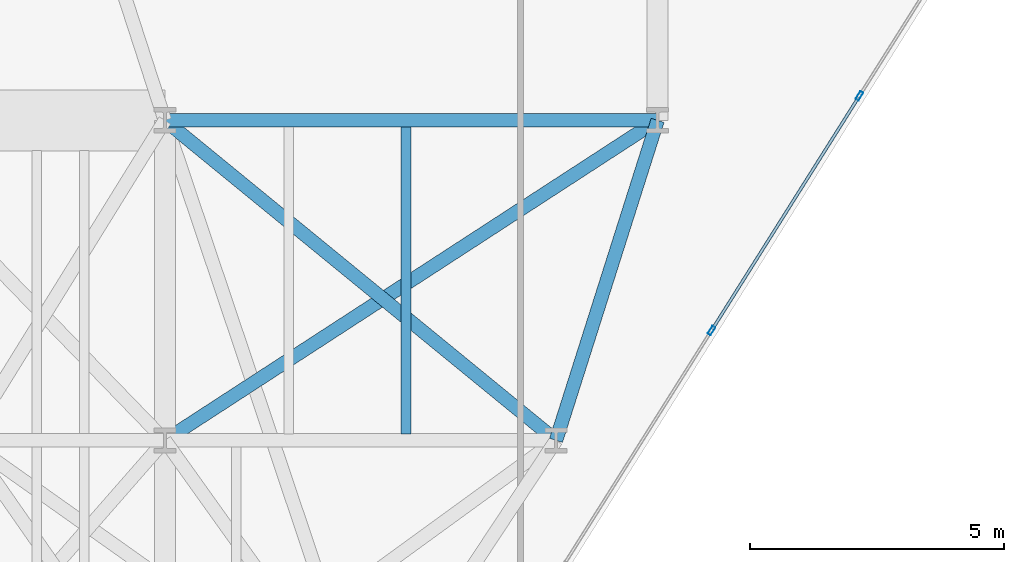
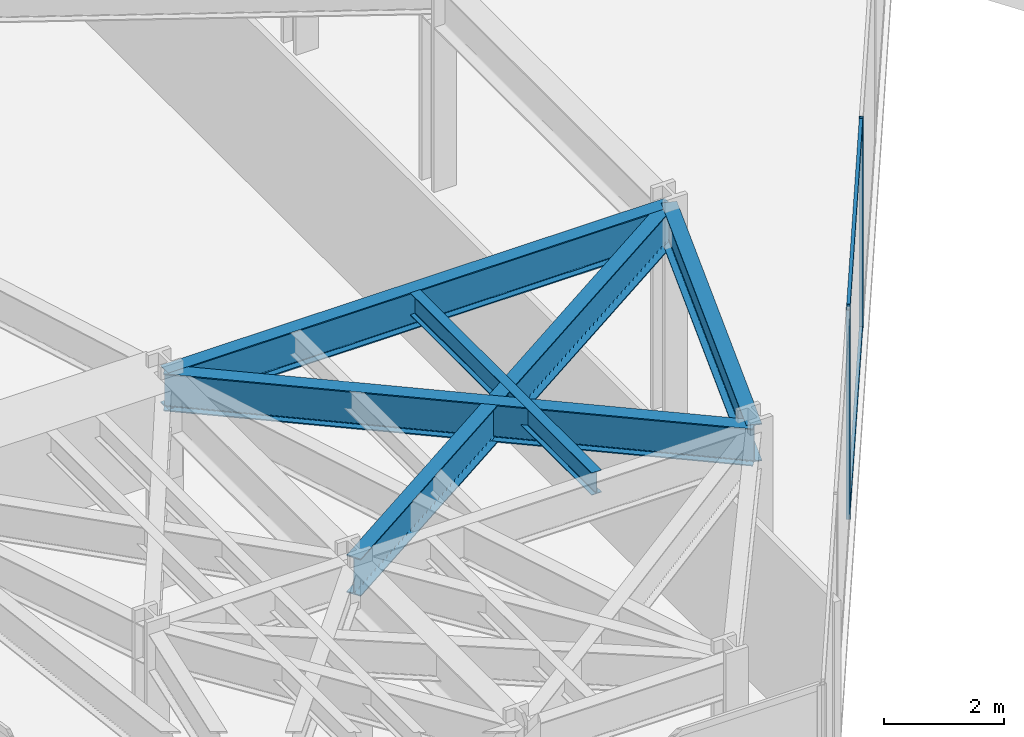
# One storey, part 6 of 28: 5 beams, 4 members, 1 element without a shape of its own.
"""IFC4 building model written with IfcOpenShell, lengths in metres."""

from ifc_helpers import new_model, si_unit, direction, frame, origin, origin_2d, place, context, subcontext, project, spatial, hollow_rectangle, i_section, extrude, material, layer, layer_set, material_profile, profile_set, type_object, element, aggregate, save


model = new_model("IFC4")

# Units and contexts
model_context = context("Model", 3, precision=1e-05, world=origin(), true_north=direction((0.0, 1.0)))
body_context = subcontext(model_context, "Body", "Model", "MODEL_VIEW")
ifc_project = project(units=[si_unit("LENGTHUNIT", "METRE"), si_unit("AREAUNIT", "SQUARE_METRE"), si_unit("VOLUMEUNIT", "CUBIC_METRE"), si_unit("PLANEANGLEUNIT", "RADIAN"), si_unit("MASSUNIT", "GRAM", prefix="KILO")], contexts=[model_context])

# Site, building, storey
site_placement = place(None, origin())
site = spatial("IfcSite", under=ifc_project, at=site_placement, CompositionType="ELEMENT")
building_placement = place(site_placement, origin())
building = spatial("IfcBuilding", under=site, at=building_placement, Name="Kravanh Interchange Tower", CompositionType="ELEMENT")
storey_placement = place(building_placement, frame((0.0, 0.0, 91.5)))
storey = spatial("IfcBuildingStorey", under=building, at=storey_placement, Name="L21", CompositionType="ELEMENT", Elevation=91.5)

# Curtain wall, members
ifc_material_1 = material(Name="Anodised Bronze Aluminium", Category="aluminium")
ifc_layer = layer(ifc_material_1, 0.179931640625)
ifc_layer_set = layer_set([ifc_layer], Name="Unitised Curtain Wall System CW-SKY Sky Observatory")
curtain_wall_type = type_object("IfcCurtainWallType", Name="Unitised Curtain Wall System CW-SKY Sky Observatory", PredefinedType="NOTDEFINED", material=ifc_layer_set)
curtain_wall_placement = place(storey_placement, origin())
curtain_wall = element("IfcCurtainWall", 1, at=curtain_wall_placement, inside=storey, type_object=curtain_wall_type, Name="L21 Unitised Curtain Wall CW-L21-06", PredefinedType="NOTDEFINED")
ifc_material_2 = material(Name="Anodised Bronze Aluminium", Category="aluminium")
ifc_material_profile_1 = material_profile(ifc_material_2, hollow_rectangle(XDim=0.070068359375, YDim=0.179931640625, WallThickness=0.00390625, at=origin_2d()), Name="ALU70X180X4")
ifc_profile_set_1 = profile_set([ifc_material_profile_1], Name="Anodised Bronze Aluminium")
member_type_1 = type_object("IfcMemberType", Name="Curtain Wall Mullion ALU70X180X4 Bronze", PredefinedType="MULLION", material=ifc_profile_set_1)
member_1_placement = place(storey_placement, frame((31.173583984375, 14.98291015625, 0.0), z_axis=(0.0, 0.0, 1.0), x_axis=(0.845925530786, -0.53330103728, 0.0)))
member_1 = element("IfcMember", 2, at=member_1_placement, type_object=member_type_1, Name="CW-SKY mullion 3", PredefinedType="MULLION", context=body_context, shape_type="SweptSolid", body=[
    extrude(hollow_rectangle(XDim=0.070068359375, YDim=0.179931640625, WallThickness=0.00390625, at=origin_2d()), origin(), (0.0, 0.0, 1.0), 4.25),
])
member_2_placement = place(storey_placement, frame((28.26025390625, 10.362060546875, 0.0), z_axis=(0.0, 0.0, 1.0), x_axis=(0.845925530786, -0.53330103728, 0.0)))
member_2 = element("IfcMember", 3, at=member_2_placement, type_object=member_type_1, Name="CW-SKY mullion 4", PredefinedType="MULLION", context=body_context, shape_type="SweptSolid", body=[
    extrude(hollow_rectangle(XDim=0.070068359375, YDim=0.179931640625, WallThickness=0.00390625, at=origin_2d()), origin(), (0.0, 0.0, 1.0), 4.25),
])
ifc_material_3 = material(Name="Anodised Bronze Aluminium", Category="aluminium")
ifc_material_profile_2 = material_profile(ifc_material_3, hollow_rectangle(XDim=0.06005859375, YDim=0.139892578125, WallThickness=0.00390625, at=origin_2d()), Name="ALU60X140X4")
ifc_profile_set_2 = profile_set([ifc_material_profile_2], Name="Anodised Bronze Aluminium")
member_type_2 = type_object("IfcMemberType", Name="Curtain Wall Transom ALU60X140X4 Bronze", PredefinedType="USERDEFINED", material=ifc_profile_set_2)
member_3_placement = place(storey_placement, frame((31.15478515625, 14.953369140625, 0.030029296875), z_axis=(-0.533279090152, -0.845939366626, 0.0), x_axis=(0.845939366626, -0.533279090152, 0.0)))
member_3 = element("IfcMember", 4, at=member_3_placement, type_object=member_type_2, Name="CW-SKY transom 3.1", ObjectType="TRANSOM", PredefinedType="USERDEFINED", context=body_context, shape_type="SweptSolid", body=[
    extrude(hollow_rectangle(XDim=0.06005859375, YDim=0.139892578125, WallThickness=0.00390625, at=origin_2d()), origin(), (0.0, 0.0, 1.0), 5.392578125),
])
member_4_placement = place(storey_placement, frame((31.15478515625, 14.953369140625, 4.219970703125), z_axis=(-0.533279090152, -0.845939366626, 0.0), x_axis=(0.845939366626, -0.533279090152, 0.0)))
member_4 = element("IfcMember", 5, at=member_4_placement, type_object=member_type_2, Name="CW-SKY transom 3.2", ObjectType="TRANSOM", PredefinedType="USERDEFINED", context=body_context, shape_type="SweptSolid", body=[
    extrude(hollow_rectangle(XDim=0.06005859375, YDim=0.139892578125, WallThickness=0.00390625, at=origin_2d()), origin(), (0.0, 0.0, 1.0), 5.392578125),
])
aggregate(curtain_wall, [member_1, member_2, member_3, member_4])

# Beams
ifc_material_4 = material(Name="Structural Steel S355", Category="steel")
ifc_material_profile_3 = material_profile(ifc_material_4, i_section(OverallWidth=0.18994140625, OverallDepth=0.45703125, WebThickness=0.009033203125, FlangeThickness=0.014404296875, FilletRadius=0.01806640625, at=origin_2d()), Name="W18X50")
ifc_profile_set_3 = profile_set([ifc_material_profile_3], Name="Structural Steel S355")
beam_type_1 = type_object("IfcBeamType", Name="Floor Joist W18X50 Structural Steel S355", PredefinedType="JOIST", material=ifc_profile_set_3)
beam_1_placement = place(storey_placement, frame((22.24609375, 8.32861328125, 4.021484375), z_axis=(0.0, 1.0, 0.0), x_axis=(-1.0, 0.0, 0.0)))
element("IfcBeam", 6, at=beam_1_placement, inside=storey, type_object=beam_type_1, Name="L21 Secondary Floor Joist 10", PredefinedType="JOIST", context=body_context, shape_type="SweptSolid", body=[
    extrude(i_section(OverallWidth=0.18994140625, OverallDepth=0.45703125, WebThickness=0.009033203125, FlangeThickness=0.014404296875, FilletRadius=0.01806640625, at=origin_2d()), origin(), (0.0, 0.0, 1.0), 6.04296875),
])
ifc_material_5 = material(Name="Structural Steel S355", Category="steel")
ifc_material_profile_4 = material_profile(ifc_material_5, i_section(OverallWidth=0.26708984375, OverallDepth=0.761962890625, WebThickness=0.014404296875, FlangeThickness=0.021484375, FilletRadius=0.02490234375, at=origin_2d()), Name="W30X116")
ifc_profile_set_4 = profile_set([ifc_material_profile_4], Name="Structural Steel S355")
beam_type_2 = type_object("IfcBeamType", Name="Floor Spandrel W30X116 Structural Steel S355", PredefinedType="SPANDREL", material=ifc_profile_set_4)
beam_2_placement = place(storey_placement, frame((17.5, 8.199951171875, 3.868896484375), z_axis=(0.838637911458, 0.544689318295, 0.0), x_axis=(-0.544689318295, 0.838637911458, 0.0)))
element("IfcBeam", 7, at=beam_2_placement, inside=storey, type_object=beam_type_2, Name="L21 Perimeter Spandrel 139", PredefinedType="SPANDREL", context=body_context, shape_type="SweptSolid", body=[
    extrude(i_section(OverallWidth=0.26708984375, OverallDepth=0.761962890625, WebThickness=0.014404296875, FlangeThickness=0.021484375, FilletRadius=0.02490234375, at=origin_2d()), origin(), (0.0, 0.0, 1.0), 11.56640625),
])
beam_3_placement = place(storey_placement, frame((25.199951171875, 8.199951171875, 3.868896484375), z_axis=(0.30257700201, 0.953124943465, 0.0), x_axis=(-0.953124943465, 0.30257700201, 0.0)))
element("IfcBeam", 8, at=beam_3_placement, inside=storey, type_object=beam_type_2, Name="L21 Perimeter Spandrel 140", PredefinedType="SPANDREL", context=body_context, shape_type="SweptSolid", body=[
    extrude(i_section(OverallWidth=0.26708984375, OverallDepth=0.761962890625, WebThickness=0.014404296875, FlangeThickness=0.021484375, FilletRadius=0.02490234375, at=origin_2d()), origin(), (0.0, 0.0, 1.0), 6.60986328125),
])
beam_4_placement = place(storey_placement, frame((25.199951171875, 8.199951171875, 3.868896484375), z_axis=(-0.773952925799, 0.633243135491, 0.0), x_axis=(-0.633243135491, -0.773952925799, 0.0)))
element("IfcBeam", 9, at=beam_4_placement, inside=storey, type_object=beam_type_2, Name="L21 Perimeter Spandrel 141", PredefinedType="SPANDREL", context=body_context, shape_type="SweptSolid", body=[
    extrude(i_section(OverallWidth=0.26708984375, OverallDepth=0.761962890625, WebThickness=0.014404296875, FlangeThickness=0.021484375, FilletRadius=0.02490234375, at=origin_2d()), origin(), (0.0, 0.0, 1.0), 9.948974609375),
])
beam_5_placement = place(storey_placement, frame((17.5, 14.5, 3.868896484375), z_axis=(1.0, 0.0, 0.0), x_axis=(0.0, 1.0, 0.0)))
element("IfcBeam", 10, at=beam_5_placement, inside=storey, type_object=beam_type_2, Name="L21 Perimeter Spandrel 144", PredefinedType="SPANDREL", context=body_context, shape_type="SweptSolid", body=[
    extrude(i_section(OverallWidth=0.26708984375, OverallDepth=0.761962890625, WebThickness=0.014404296875, FlangeThickness=0.021484375, FilletRadius=0.02490234375, at=origin_2d()), origin(), (0.0, 0.0, 1.0), 9.699951171875),
])

save(model, "model.ifc")
